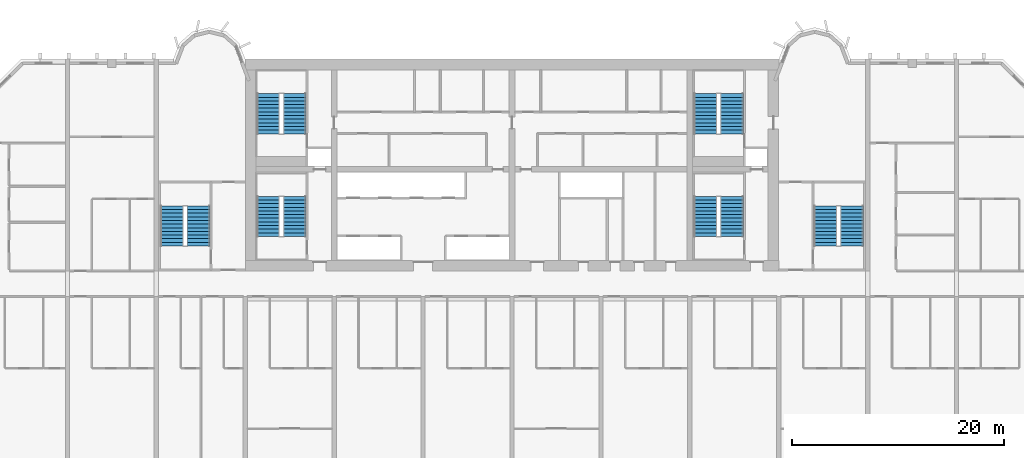
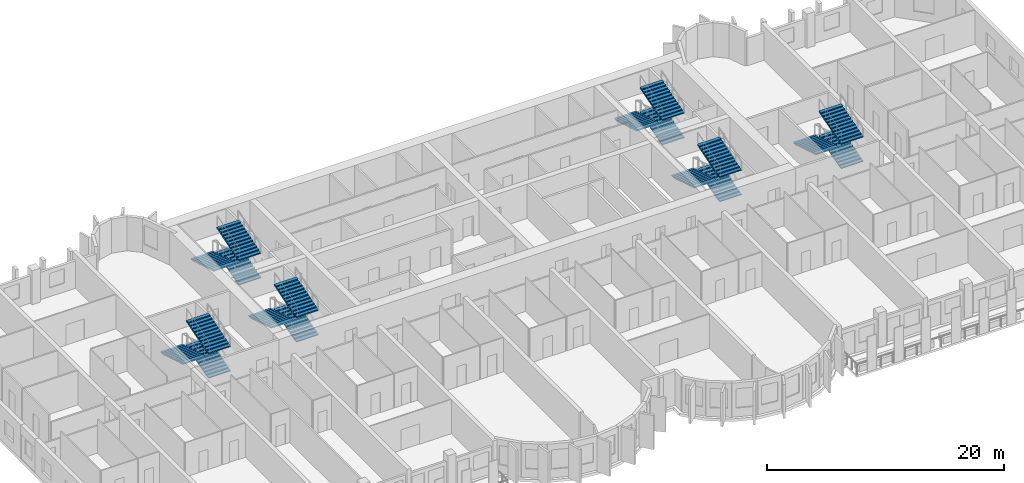
# One storey, part 12 of 15: 18 stair flights, 6 elements without a shape of their own.
"""IFC4 building model written with IfcOpenShell, lengths in metres."""

from ifc_helpers import new_model, si_unit, direction, frame, origin, place, context, subcontext, project, spatial, polyline, outline, extrude, source, transform, mapped, material, type_object, element, aggregate, save


model = new_model("IFC4")

# Units and contexts
model_context = context("Model", 3, precision=1e-05, world=origin(), true_north=direction((0.0, 1.0)))
body_context = subcontext(model_context, "Body", "Model", "MODEL_VIEW")
ifc_project = project(units=[si_unit("LENGTHUNIT", "METRE"), si_unit("AREAUNIT", "SQUARE_METRE"), si_unit("VOLUMEUNIT", "CUBIC_METRE"), si_unit("PLANEANGLEUNIT", "RADIAN"), si_unit("MASSUNIT", "GRAM", prefix="KILO")], contexts=[model_context])

# Site, building, storey
site_placement = place(None, origin())
site = spatial("IfcSite", under=ifc_project, at=site_placement, CompositionType="ELEMENT")
building_placement = place(site_placement, origin())
building = spatial("IfcBuilding", under=site, at=building_placement, Name="Vanashikhar Sky Hotel", CompositionType="ELEMENT")
storey_placement = place(building_placement, frame((0.0, 0.0, 65.800048828125)))
storey = spatial("IfcBuildingStorey", under=building, at=storey_placement, Name="L15", CompositionType="ELEMENT", Elevation=65.800048828125)

# Stair, stair flights
ifc_material = material(Name="Concrete M40", Category="concrete")
stair_type = type_object("IfcStairType", Name="Exit stair 2150", PredefinedType="DOUBLE_RETURN_STAIR", material=ifc_material)
stair_1_placement = place(storey_placement, origin())
stair_1 = element("IfcStair", 1, at=stair_1_placement, inside=storey, type_object=stair_type, Name="L15 Exit stair 1", PredefinedType="DOUBLE_RETURN_STAIR")
stair_flight_type = type_object("IfcStairFlightType", Name="Stair flight 2150", PredefinedType="STRAIGHT", material=ifc_material)
shared_shape = source(origin(), body_context, "Body", "SweptSolid", [
    extrude(outline(polyline([(0.0, 0.0), (0.0, 0.10546875), (0.345458984375, 0.10546875), (0.345458984375, 0.211181640625), (0.69091796875, 0.211181640625), (0.69091796875, 0.316650390625), (1.036376953125, 0.316650390625), (1.036376953125, 0.422119140625), (1.3818359375, 0.422119140625), (1.3818359375, 0.52783203125), (1.727294921875, 0.52783203125), (1.727294921875, 0.63330078125), (2.07275390625, 0.63330078125), (2.07275390625, 0.73876953125), (2.418212890625, 0.73876953125), (2.418212890625, 0.844482421875), (2.763671875, 0.844482421875), (2.763671875, 0.949951171875), (3.109130859375, 0.949951171875), (3.109130859375, 1.0556640625), (3.45458984375, 1.0556640625), (3.45458984375, 1.1611328125), (3.800048828125, 1.1611328125), (3.800048828125, 1.2666015625), (3.800048828125, 1.035400390625), (0.4111328125, 0.0), (0.0, 0.0)])), frame((0.0, 1.074951171875, 0.0), z_axis=(0.0, -1.0, 0.0), x_axis=(1.0, 0.0, 0.0)), (0.0, 0.0, 1.0), 2.14990234375),
])
stair_flight_1_placement = place(storey_placement, frame((29.875, 25.25, 0.0), z_axis=(0.0, 0.0, 1.0), x_axis=(0.0, 1.0, 0.0)))
stair_flight_1 = element("IfcStairFlight", 2, at=stair_flight_1_placement, type_object=stair_flight_type, Name="ST-C1 flight 1", NumberOfRisers=12, NumberOfTreads=11, PredefinedType="STRAIGHT", RiserHeight=0.105555556, TreadLength=0.345454545, context=body_context, shape_type="MappedRepresentation", body=[
    mapped(shared_shape, transform((0.0, 0.0, 0.0), scale=1.0)),
])
stair_flight_2_placement = place(storey_placement, frame((27.375, 29.050048828125, 1.2666015625), z_axis=(0.0, 0.0, 1.0), x_axis=(0.0, -1.0, 0.0)))
stair_flight_2 = element("IfcStairFlight", 3, at=stair_flight_2_placement, type_object=stair_flight_type, Name="ST-C1 flight 2", NumberOfRisers=12, NumberOfTreads=11, PredefinedType="STRAIGHT", RiserHeight=0.105555556, TreadLength=0.345454545, context=body_context, shape_type="MappedRepresentation", body=[
    mapped(shared_shape, transform((0.0, 0.0, 0.0), scale=1.0)),
])
stair_flight_3_placement = place(storey_placement, frame((29.875, 25.25, 2.533203125), z_axis=(0.0, 0.0, 1.0), x_axis=(0.0, 1.0, 0.0)))
stair_flight_3 = element("IfcStairFlight", 4, at=stair_flight_3_placement, type_object=stair_flight_type, Name="ST-C1 flight 3", NumberOfRisers=12, NumberOfTreads=11, PredefinedType="STRAIGHT", RiserHeight=0.105555556, TreadLength=0.345454545, context=body_context, shape_type="MappedRepresentation", body=[
    mapped(shared_shape, transform((0.0, 0.0, 0.0), scale=1.0)),
])
aggregate(stair_1, [stair_flight_1, stair_flight_2, stair_flight_3])

stair_2_placement = place(storey_placement, origin())
stair_2 = element("IfcStair", 5, at=stair_2_placement, inside=storey, type_object=stair_type, Name="L15 Exit stair 2", PredefinedType="DOUBLE_RETURN_STAIR")
stair_flight_4_placement = place(storey_placement, frame((71.175048828125, 25.25, 0.0), z_axis=(0.0, 0.0, 1.0), x_axis=(0.0, 1.0, 0.0)))
stair_flight_4 = element("IfcStairFlight", 6, at=stair_flight_4_placement, type_object=stair_flight_type, Name="ST-C2 flight 1", NumberOfRisers=12, NumberOfTreads=11, PredefinedType="STRAIGHT", RiserHeight=0.105555556, TreadLength=0.345454545, context=body_context, shape_type="MappedRepresentation", body=[
    mapped(shared_shape, transform((0.0, 0.0, 0.0), scale=1.0)),
])
stair_flight_5_placement = place(storey_placement, frame((68.675048828125, 29.050048828125, 1.2666015625), z_axis=(0.0, 0.0, 1.0), x_axis=(0.0, -1.0, 0.0)))
stair_flight_5 = element("IfcStairFlight", 7, at=stair_flight_5_placement, type_object=stair_flight_type, Name="ST-C2 flight 2", NumberOfRisers=12, NumberOfTreads=11, PredefinedType="STRAIGHT", RiserHeight=0.105555556, TreadLength=0.345454545, context=body_context, shape_type="MappedRepresentation", body=[
    mapped(shared_shape, transform((0.0, 0.0, 0.0), scale=1.0)),
])
stair_flight_6_placement = place(storey_placement, frame((71.175048828125, 25.25, 2.533203125), z_axis=(0.0, 0.0, 1.0), x_axis=(0.0, 1.0, 0.0)))
stair_flight_6 = element("IfcStairFlight", 8, at=stair_flight_6_placement, type_object=stair_flight_type, Name="ST-C2 flight 3", NumberOfRisers=12, NumberOfTreads=11, PredefinedType="STRAIGHT", RiserHeight=0.105555556, TreadLength=0.345454545, context=body_context, shape_type="MappedRepresentation", body=[
    mapped(shared_shape, transform((0.0, 0.0, 0.0), scale=1.0)),
])
aggregate(stair_2, [stair_flight_4, stair_flight_5, stair_flight_6])

stair_3_placement = place(storey_placement, origin())
stair_3 = element("IfcStair", 9, at=stair_3_placement, inside=storey, type_object=stair_type, Name="L15 Exit stair 3", PredefinedType="DOUBLE_RETURN_STAIR")
stair_flight_7_placement = place(storey_placement, frame((20.77490234375, 24.35009765625, 0.0), z_axis=(0.0, 0.0, 1.0), x_axis=(0.0, 1.0, 0.0)))
stair_flight_7 = element("IfcStairFlight", 10, at=stair_flight_7_placement, type_object=stair_flight_type, Name="ST-W flight 1", NumberOfRisers=12, NumberOfTreads=11, PredefinedType="STRAIGHT", RiserHeight=0.105555556, TreadLength=0.345454545, context=body_context, shape_type="MappedRepresentation", body=[
    mapped(shared_shape, transform((0.0, 0.0, 0.0), scale=1.0)),
])
stair_flight_8_placement = place(storey_placement, frame((18.27490234375, 28.14990234375, 1.2666015625), z_axis=(0.0, 0.0, 1.0), x_axis=(0.0, -1.0, 0.0)))
stair_flight_8 = element("IfcStairFlight", 11, at=stair_flight_8_placement, type_object=stair_flight_type, Name="ST-W flight 2", NumberOfRisers=12, NumberOfTreads=11, PredefinedType="STRAIGHT", RiserHeight=0.105555556, TreadLength=0.345454545, context=body_context, shape_type="MappedRepresentation", body=[
    mapped(shared_shape, transform((0.0, 0.0, 0.0), scale=1.0)),
])
stair_flight_9_placement = place(storey_placement, frame((20.77490234375, 24.35009765625, 2.533203125), z_axis=(0.0, 0.0, 1.0), x_axis=(0.0, 1.0, 0.0)))
stair_flight_9 = element("IfcStairFlight", 12, at=stair_flight_9_placement, type_object=stair_flight_type, Name="ST-W flight 3", NumberOfRisers=12, NumberOfTreads=11, PredefinedType="STRAIGHT", RiserHeight=0.105555556, TreadLength=0.345454545, context=body_context, shape_type="MappedRepresentation", body=[
    mapped(shared_shape, transform((0.0, 0.0, 0.0), scale=1.0)),
])
aggregate(stair_3, [stair_flight_7, stair_flight_8, stair_flight_9])

stair_4_placement = place(storey_placement, origin())
stair_4 = element("IfcStair", 13, at=stair_4_placement, inside=storey, type_object=stair_type, Name="L15 Exit stair 4", PredefinedType="DOUBLE_RETURN_STAIR")
stair_flight_10_placement = place(storey_placement, frame((82.52490234375, 24.35009765625, 0.0), z_axis=(0.0, 0.0, 1.0), x_axis=(0.0, 1.0, 0.0)))
stair_flight_10 = element("IfcStairFlight", 14, at=stair_flight_10_placement, type_object=stair_flight_type, Name="ST-E flight 1", NumberOfRisers=12, NumberOfTreads=11, PredefinedType="STRAIGHT", RiserHeight=0.105555556, TreadLength=0.345454545, context=body_context, shape_type="MappedRepresentation", body=[
    mapped(shared_shape, transform((0.0, 0.0, 0.0), scale=1.0)),
])
stair_flight_11_placement = place(storey_placement, frame((80.02490234375, 28.14990234375, 1.2666015625), z_axis=(0.0, 0.0, 1.0), x_axis=(0.0, -1.0, 0.0)))
stair_flight_11 = element("IfcStairFlight", 15, at=stair_flight_11_placement, type_object=stair_flight_type, Name="ST-E flight 2", NumberOfRisers=12, NumberOfTreads=11, PredefinedType="STRAIGHT", RiserHeight=0.105555556, TreadLength=0.345454545, context=body_context, shape_type="MappedRepresentation", body=[
    mapped(shared_shape, transform((0.0, 0.0, 0.0), scale=1.0)),
])
stair_flight_12_placement = place(storey_placement, frame((82.52490234375, 24.35009765625, 2.533203125), z_axis=(0.0, 0.0, 1.0), x_axis=(0.0, 1.0, 0.0)))
stair_flight_12 = element("IfcStairFlight", 16, at=stair_flight_12_placement, type_object=stair_flight_type, Name="ST-E flight 3", NumberOfRisers=12, NumberOfTreads=11, PredefinedType="STRAIGHT", RiserHeight=0.105555556, TreadLength=0.345454545, context=body_context, shape_type="MappedRepresentation", body=[
    mapped(shared_shape, transform((0.0, 0.0, 0.0), scale=1.0)),
])
aggregate(stair_4, [stair_flight_10, stair_flight_11, stair_flight_12])

stair_5_placement = place(storey_placement, origin())
stair_5 = element("IfcStair", 17, at=stair_5_placement, inside=storey, type_object=stair_type, Name="L15 Exit stair 5", PredefinedType="DOUBLE_RETURN_STAIR")
stair_flight_13_placement = place(storey_placement, frame((29.875, 34.949951171875, 0.0), z_axis=(0.0, 0.0, 1.0), x_axis=(0.0, 1.0, 0.0)))
stair_flight_13 = element("IfcStairFlight", 18, at=stair_flight_13_placement, type_object=stair_flight_type, Name="ST-C3 flight 1", NumberOfRisers=12, NumberOfTreads=11, PredefinedType="STRAIGHT", RiserHeight=0.105555556, TreadLength=0.345454545, context=body_context, shape_type="MappedRepresentation", body=[
    mapped(shared_shape, transform((0.0, 0.0, 0.0), scale=1.0)),
])
stair_flight_14_placement = place(storey_placement, frame((27.375, 38.75, 1.2666015625), z_axis=(0.0, 0.0, 1.0), x_axis=(0.0, -1.0, 0.0)))
stair_flight_14 = element("IfcStairFlight", 19, at=stair_flight_14_placement, type_object=stair_flight_type, Name="ST-C3 flight 2", NumberOfRisers=12, NumberOfTreads=11, PredefinedType="STRAIGHT", RiserHeight=0.105555556, TreadLength=0.345454545, context=body_context, shape_type="MappedRepresentation", body=[
    mapped(shared_shape, transform((0.0, 0.0, 0.0), scale=1.0)),
])
stair_flight_15_placement = place(storey_placement, frame((29.875, 34.949951171875, 2.533203125), z_axis=(0.0, 0.0, 1.0), x_axis=(0.0, 1.0, 0.0)))
stair_flight_15 = element("IfcStairFlight", 20, at=stair_flight_15_placement, type_object=stair_flight_type, Name="ST-C3 flight 3", NumberOfRisers=12, NumberOfTreads=11, PredefinedType="STRAIGHT", RiserHeight=0.105555556, TreadLength=0.345454545, context=body_context, shape_type="MappedRepresentation", body=[
    mapped(shared_shape, transform((0.0, 0.0, 0.0), scale=1.0)),
])
aggregate(stair_5, [stair_flight_13, stair_flight_14, stair_flight_15])

stair_6_placement = place(storey_placement, origin())
stair_6 = element("IfcStair", 21, at=stair_6_placement, inside=storey, type_object=stair_type, Name="L15 Exit stair 6", PredefinedType="DOUBLE_RETURN_STAIR")
stair_flight_16_placement = place(storey_placement, frame((71.175048828125, 34.949951171875, 0.0), z_axis=(0.0, 0.0, 1.0), x_axis=(0.0, 1.0, 0.0)))
stair_flight_16 = element("IfcStairFlight", 22, at=stair_flight_16_placement, type_object=stair_flight_type, Name="ST-C4 flight 1", NumberOfRisers=12, NumberOfTreads=11, PredefinedType="STRAIGHT", RiserHeight=0.105555556, TreadLength=0.345454545, context=body_context, shape_type="MappedRepresentation", body=[
    mapped(shared_shape, transform((0.0, 0.0, 0.0), scale=1.0)),
])
stair_flight_17_placement = place(storey_placement, frame((68.675048828125, 38.75, 1.2666015625), z_axis=(0.0, 0.0, 1.0), x_axis=(0.0, -1.0, 0.0)))
stair_flight_17 = element("IfcStairFlight", 23, at=stair_flight_17_placement, type_object=stair_flight_type, Name="ST-C4 flight 2", NumberOfRisers=12, NumberOfTreads=11, PredefinedType="STRAIGHT", RiserHeight=0.105555556, TreadLength=0.345454545, context=body_context, shape_type="MappedRepresentation", body=[
    mapped(shared_shape, transform((0.0, 0.0, 0.0), scale=1.0)),
])
stair_flight_18_placement = place(storey_placement, frame((71.175048828125, 34.949951171875, 2.533203125), z_axis=(0.0, 0.0, 1.0), x_axis=(0.0, 1.0, 0.0)))
stair_flight_18 = element("IfcStairFlight", 24, at=stair_flight_18_placement, type_object=stair_flight_type, Name="ST-C4 flight 3", NumberOfRisers=12, NumberOfTreads=11, PredefinedType="STRAIGHT", RiserHeight=0.105555556, TreadLength=0.345454545, context=body_context, shape_type="MappedRepresentation", body=[
    mapped(shared_shape, transform((0.0, 0.0, 0.0), scale=1.0)),
])
aggregate(stair_6, [stair_flight_16, stair_flight_17, stair_flight_18])

save(model, "model.ifc")
